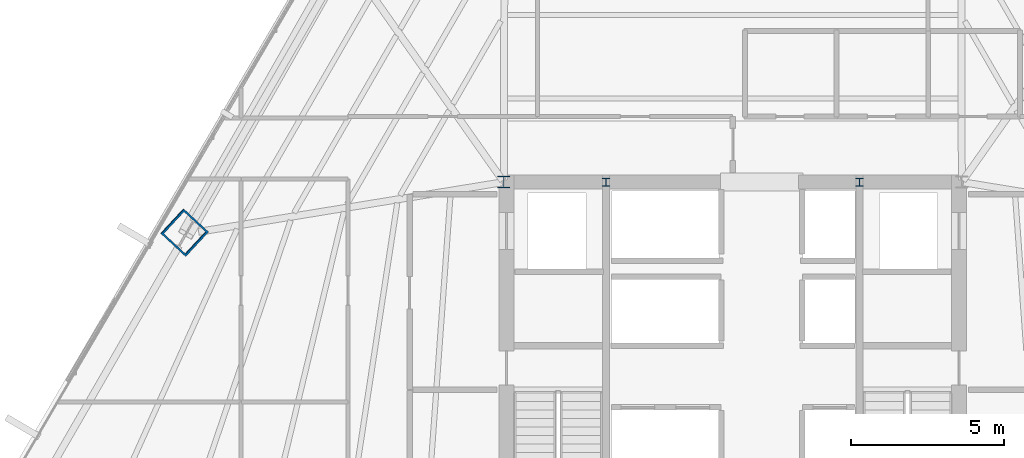
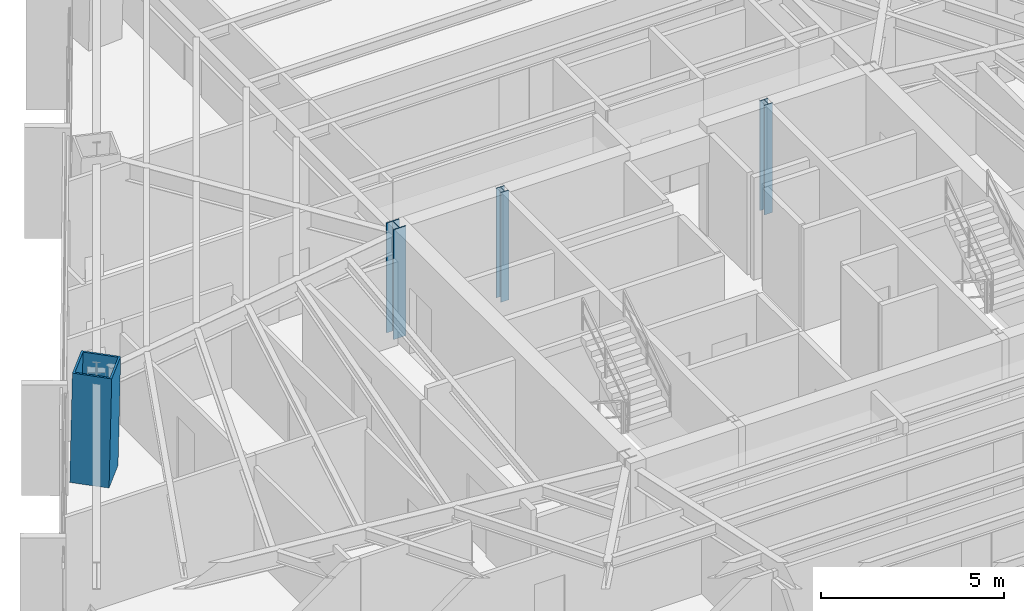
# One storey, part 2 of 37: 4 columns.
"""IFC4 building model written with IfcOpenShell, lengths in metres."""

from ifc_helpers import new_model, si_unit, direction, frame, origin, origin_2d, place, context, subcontext, project, spatial, hollow_rectangle, i_section, extrude, source, transform, mapped, material, material_profile, profile_set, type_object, type_shapes, element, save


model = new_model("IFC4")

# Units and contexts
model_context = context("Model", 3, precision=1e-05, world=origin(), true_north=direction((0.0, 1.0)))
body_context = subcontext(model_context, "Body", "Model", "MODEL_VIEW")
ifc_project = project(units=[si_unit("LENGTHUNIT", "METRE"), si_unit("AREAUNIT", "SQUARE_METRE"), si_unit("VOLUMEUNIT", "CUBIC_METRE"), si_unit("PLANEANGLEUNIT", "RADIAN"), si_unit("MASSUNIT", "GRAM", prefix="KILO")], contexts=[model_context])

# Site, building, storey
site_placement = place(None, origin())
site = spatial("IfcSite", under=ifc_project, at=site_placement, CompositionType="ELEMENT")
building_placement = place(site_placement, origin())
building = spatial("IfcBuilding", under=site, at=building_placement, Name="Caelisora Broadcast Tower", CompositionType="ELEMENT")
storey_placement = place(building_placement, frame((0.0, 0.0, 101.75)))
storey = spatial("IfcBuildingStorey", under=building, at=storey_placement, Name="L26", CompositionType="ELEMENT", Elevation=101.75)

# Columns
ifc_material_1 = material(Name="Steel Grade 350 (AS/NZS 3679.1)", Category="steel")
ifc_material_profile_1 = material_profile(ifc_material_1, i_section(OverallWidth=0.256103515625, OverallDepth=0.260009765625, WebThickness=0.010498046875, FlangeThickness=0.017333984375, at=origin_2d()), Name="Steel Grade 350 (AS/NZS 3679.1)")
ifc_profile_set_1 = profile_set([ifc_material_profile_1], Name="Steel Grade 350 (AS/NZS 3679.1)")
column_type_1 = type_object("IfcColumnType", Name="CC05", PredefinedType="COLUMN", material=ifc_profile_set_1)
shared_shape_1 = source(origin(), body_context, "Body", "SweptSolid", [
    extrude(i_section(OverallWidth=0.256103515625, OverallDepth=0.260009765625, WebThickness=0.010498046875, FlangeThickness=0.017333984375, at=origin_2d()), origin(), (0.0, 0.0, 1.0), 3.64990234375),
])
type_shapes(column_type_1, [shared_shape_1])
for number, where, z_axis, x_axis, name in (
    (1, (33.85009765625, 30.0, 0.0), (0.0, 0.0, 1.0), (1.0, 0.0, 0.0), "L26 column CC05"),
    (2, (42.14990234375, 30.0, 0.0), (0.0, 0.0, 1.0), (1.0, 0.0, 0.0), "L26 column CC05"),
):
    element("IfcColumn", number, at=place(storey_placement, frame(where, z_axis=z_axis, x_axis=x_axis)), inside=storey, type_object=column_type_1, Name=name, PredefinedType="COLUMN", context=body_context, shape_type="MappedRepresentation", body=[
        mapped(shared_shape_1, transform((0.0, 0.0, 0.0), scale=1.0)),
    ])
ifc_material_2 = material(Name="Steel Grade 350 (AS/NZS 3679.2)", Category="steel")
ifc_material_profile_2 = material_profile(ifc_material_2, i_section(OverallWidth=0.39990234375, OverallDepth=0.39990234375, WebThickness=0.02001953125, FlangeThickness=0.031982421875, at=origin_2d()), Name="Steel Grade 350 (AS/NZS 3679.2)")
ifc_profile_set_2 = profile_set([ifc_material_profile_2], Name="Steel Grade 350 (AS/NZS 3679.2)")
column_type_2 = type_object("IfcColumnType", Name="CC02", PredefinedType="COLUMN", material=ifc_profile_set_2)
shared_shape_2 = source(origin(), body_context, "Body", "SweptSolid", [
    extrude(i_section(OverallWidth=0.39990234375, OverallDepth=0.39990234375, WebThickness=0.02001953125, FlangeThickness=0.031982421875, at=origin_2d()), origin(), (0.0, 0.0, 1.0), 3.64990234375),
])
type_shapes(column_type_2, [shared_shape_2])
column_1_placement = place(storey_placement, frame((30.5, 30.0, 0.0), z_axis=(0.0, 0.0, 1.0), x_axis=(1.0, 0.0, 0.0)))
element("IfcColumn", 3, at=column_1_placement, inside=storey, type_object=column_type_2, Name="L26 column CC02", PredefinedType="COLUMN", context=body_context, shape_type="MappedRepresentation", body=[
    mapped(shared_shape_2, transform((0.0, 0.0, 0.0), scale=1.0)),
])
ifc_material_3 = material(Name="Steel Grade 350 L15 (AS/NZS 3678)", Category="steel")
ifc_material_profile_3 = material_profile(ifc_material_3, hollow_rectangle(XDim=1.10009765625, YDim=1.10009765625, WallThickness=0.06005859375, at=origin_2d()), Name="Steel Grade 350 L15 (AS/NZS 3678)")
ifc_profile_set_3 = profile_set([ifc_material_profile_3], Name="Steel Grade 350 L15 (AS/NZS 3678)")
column_type_3 = type_object("IfcColumnType", Name="MC03", PredefinedType="COLUMN", material=ifc_profile_set_3)
shared_shape_3 = source(origin(), body_context, "Body", "SweptSolid", [
    extrude(hollow_rectangle(XDim=1.10009765625, YDim=1.10009765625, WallThickness=0.06005859375, at=origin_2d()), origin(), (0.0, 0.0, 1.0), 3.650634765625),
])
type_shapes(column_type_3, [shared_shape_3])
column_2_placement = place(storey_placement, frame((20.0390625, 28.353515625, 0.0), z_axis=(0.014913299626, -0.013843287097, 0.999792957015), x_axis=(0.680325028146, 0.732910537568, 0.0)))
element("IfcColumn", 4, at=column_2_placement, inside=storey, type_object=column_type_3, Name="L26 column MC03", PredefinedType="COLUMN", context=body_context, shape_type="MappedRepresentation", body=[
    mapped(shared_shape_3, transform((0.0, 0.0, 0.0), scale=1.0)),
])

save(model, "model.ifc")
